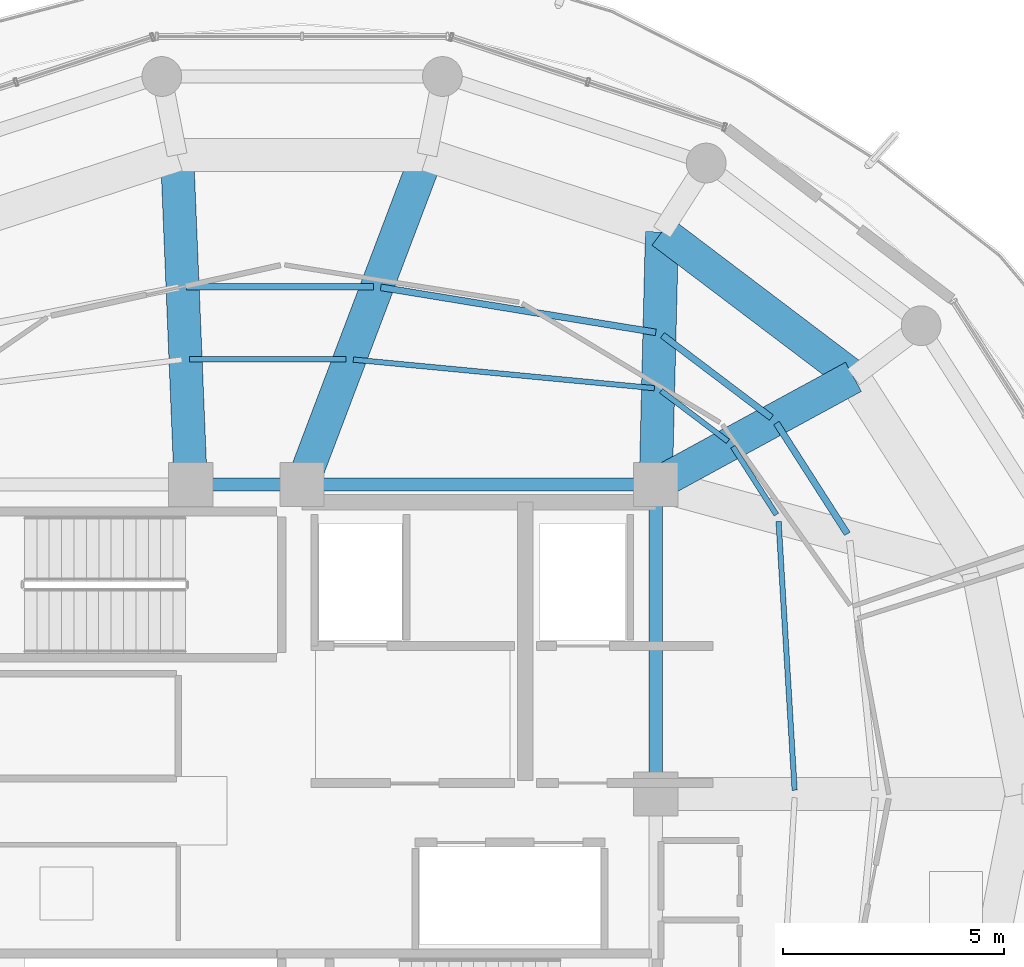
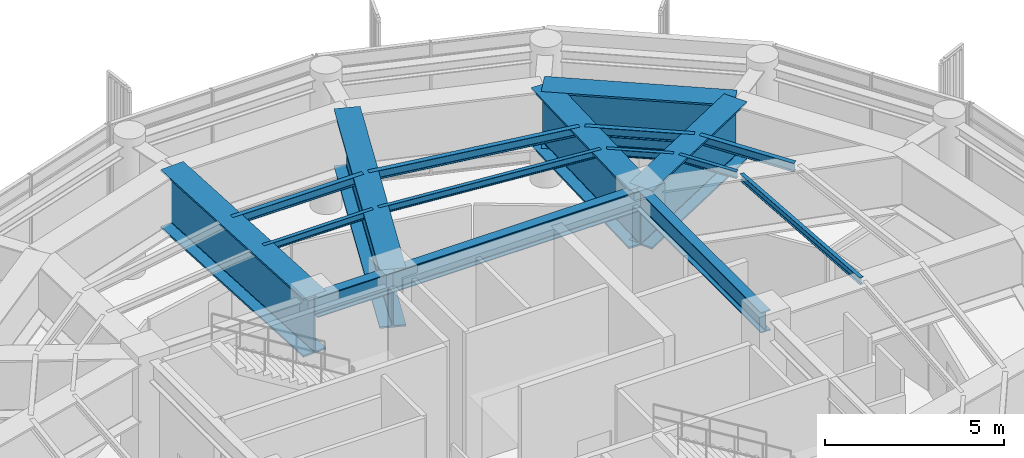
# One storey, part 10 of 23: 17 beams.
"""IFC4 building model written with IfcOpenShell, lengths in metres."""

import ifcopenshell
import ifcopenshell.guid

model = None  # the IFC model being written
_history = None  # IfcOwnerHistory: only IFC2X3 demands one
_inside = {}  # id of a spatial element -> (the spatial element, [elements in it])
_under = {}  # id of a project, library or spatial element -> (it, [spatial elements below it])
_declared = {}  # id of a project -> (the project, [libraries it declares])
_typed = {}  # id of a type object -> (the type object, [elements of that type])
_made_of = {}  # id of a material, layer set ... -> (it, [elements and type objects made of it])


def new_model(schema):
    """Start an empty IFC model of exactly this schema.

    Asked for "IFC4X3", IfcOpenShell would pick the latest addendum, in which some entities
    have other attributes; the version numbers below select the first issue.
    IFC2X3 requires an IfcOwnerHistory on every rooted entity: one is made here for all.
    """
    global model, _history
    if schema == "IFC4X3":
        model = ifcopenshell.file(schema_version=(4, 3, 0, 0))
    else:
        model = ifcopenshell.file(schema=schema)
    _inside.clear()
    _under.clear()
    _declared.clear()
    _typed.clear()
    _made_of.clear()
    _history = None
    if model.schema == "IFC2X3":
        org = make("IfcOrganization", Name="unknown")
        user = make(
            "IfcPersonAndOrganization",
            ThePerson=make("IfcPerson", FamilyName="unknown"),
            TheOrganization=org,
        )
        app = make(
            "IfcApplication",
            ApplicationDeveloper=org,
            Version="unknown",
            ApplicationFullName="unknown",
            ApplicationIdentifier="unknown",
        )
        _history = make(
            "IfcOwnerHistory",
            OwningUser=user,
            OwningApplication=app,
            ChangeAction="ADDED",
            CreationDate=0,
        )
    return model


def make(cls, **values):
    """One entity of the class cls with the attributes given. An attribute that is None is left unset."""
    return model.create_entity(
        cls, **{name: value for name, value in values.items() if value is not None}
    )


def rooted(cls, **values):
    """An entity with a GlobalId (a new one), such as an element, a storey or a relation."""
    return make(cls, GlobalId=ifcopenshell.guid.new(), OwnerHistory=_history, **values)


def si_unit(unit_type, name, prefix=None):
    """IfcSIUnit, for example si_unit("LENGTHUNIT", "METRE", prefix="MILLI")."""
    return make("IfcSIUnit", UnitType=unit_type, Prefix=prefix, Name=name)


def assignment(units):
    """IfcUnitAssignment: the units of a project."""
    return None if units is None else make("IfcUnitAssignment", Units=units)


def point(xyz):
    """IfcCartesianPoint."""
    return None if xyz is None else make("IfcCartesianPoint", Coordinates=xyz)


def direction(xyz):
    """IfcDirection."""
    return None if xyz is None else make("IfcDirection", DirectionRatios=xyz)


def frame(location, z_axis=None, x_axis=None):
    """IfcAxis2Placement3D, a coordinate frame: its origin and axes. An axis left out is left unset."""
    return make(
        "IfcAxis2Placement3D",
        Location=point(location),
        Axis=direction(z_axis),
        RefDirection=direction(x_axis),
    )


def frame_2d(location, x_axis=None):
    """IfcAxis2Placement2D, a coordinate frame in the plane: its origin and x axis."""
    return make(
        "IfcAxis2Placement2D", Location=point(location), RefDirection=direction(x_axis)
    )


def origin():
    """The frame at (0, 0, 0) with its axes left unset."""
    return frame((0.0, 0.0, 0.0))


def origin_2d():
    """The frame at (0, 0) in the plane with its x axis left unset."""
    return frame_2d((0.0, 0.0))


def place(relative_to, where):
    """IfcLocalPlacement: puts the frame where relative to a parent placement (None: the world)."""
    return make(
        "IfcLocalPlacement", PlacementRelTo=relative_to, RelativePlacement=where
    )


def context(
    kind, dimensions, precision=None, world=None, true_north=None, identifier=None
):
    """IfcGeometricRepresentationContext, for example the 3D "Model" context."""
    return make(
        "IfcGeometricRepresentationContext",
        ContextIdentifier=identifier,
        ContextType=kind,
        CoordinateSpaceDimension=dimensions,
        Precision=precision,
        WorldCoordinateSystem=world,
        TrueNorth=true_north,
    )


def subcontext(parent, identifier, kind, view, scale=None):
    """IfcGeometricRepresentationSubContext, for example "Body" below "Model"."""
    return make(
        "IfcGeometricRepresentationSubContext",
        ContextIdentifier=identifier,
        ContextType=kind,
        ParentContext=parent,
        TargetScale=scale,
        TargetView=view,
    )


def project(units=None, contexts=None):
    """IfcProject with its units and contexts."""
    return rooted(
        "IfcProject",
        Name="project",
        RepresentationContexts=contexts,
        UnitsInContext=assignment(units),
    )


def spatial(cls, under=None, at=None, **own):
    """A site, building, storey or space (cls), placed at a placement, below another one or the project."""
    s = rooted(cls, ObjectPlacement=at, **own)
    if under is not None:
        _under.setdefault(under.id(), (under, []))[1].append(s)
    return s


def profile(cls, at=None, kind="AREA", **sizes):
    """A parametric profile (cls). Its sizes go by their IFC names, for example OverallWidth=200.0."""
    return make(cls, ProfileType=kind, Position=at, **sizes)


def i_section(**sizes):
    """IfcIShapeProfileDef."""
    return profile("IfcIShapeProfileDef", **sizes)


def extrude(swept, where, along, depth):
    """IfcExtrudedAreaSolid: the profile swept, set in the frame where, extruded along a direction by depth."""
    return make(
        "IfcExtrudedAreaSolid",
        SweptArea=swept,
        Position=where,
        ExtrudedDirection=direction(along),
        Depth=depth,
    )


def shape(context_of_items, identifier, shape_type, items):
    """IfcShapeRepresentation: the items that make up one representation, for example the "Body"."""
    return make(
        "IfcShapeRepresentation",
        ContextOfItems=context_of_items,
        RepresentationIdentifier=identifier,
        RepresentationType=shape_type,
        Items=items,
    )


def material(Name=None, Category=None):
    """IfcMaterial."""
    return make("IfcMaterial", Name=Name, Category=Category)


def material_profile(
    of_material, cross_section, Name=None, Category=None, Priority=None
):
    """IfcMaterialProfile: a cross section and its material."""
    return make(
        "IfcMaterialProfile",
        Name=Name,
        Material=of_material,
        Profile=cross_section,
        Priority=Priority,
        Category=Category,
    )


def profile_set(profiles, Name=None, composite=None):
    """IfcMaterialProfileSet."""
    return make(
        "IfcMaterialProfileSet",
        Name=Name,
        MaterialProfiles=profiles,
        CompositeProfile=composite,
    )


def made_of(thing, what):
    """Note that an element or type object is made of a material, layer set ...; save() writes the relation."""
    if what is not None:
        _made_of.setdefault(what.id(), (what, []))[1].append(thing)
    return thing


def type_object(cls, material=None, **own):
    """A type object (cls), such as IfcWallType, which elements share."""
    return made_of(rooted(cls, **own), material)


def element(
    cls,
    number,
    at=None,
    inside=None,
    cuts=None,
    type_object=None,
    material=None,
    context=None,
    identifier="Body",
    shape_type=None,
    held_by="IfcProductDefinitionShape",
    body=None,
    shapes=None,
    **own,
):
    """One element of the class cls, such as IfcWall. Its Tag is "e" and its number.

    at: its placement. inside: the storey or other place that contains it. cuts: it is an
    opening in that element (IfcRelVoidsElement). A single representation is given by context,
    identifier, shape_type and body (its items); several are given by shapes. held_by: the class
    of the entity that holds the representations. save() writes the other relations.
    """
    e = rooted(cls, Tag="e%d" % number, ObjectPlacement=at, **own)
    if body is not None:
        shapes = [shape(context, identifier, shape_type, body)]
    if shapes is not None:
        e.Representation = make(held_by, Representations=shapes)
    if inside is not None:
        _inside.setdefault(inside.id(), (inside, []))[1].append(e)
    if cuts is not None:
        rooted(
            "IfcRelVoidsElement", RelatingBuildingElement=cuts, RelatedOpeningElement=e
        )
    if type_object is not None:
        _typed.setdefault(type_object.id(), (type_object, []))[1].append(e)
    return made_of(e, material)


def aggregate(whole, parts):
    """IfcRelAggregates: a whole, such as a stair, and the parts it consists of."""
    return rooted("IfcRelAggregates", RelatingObject=whole, RelatedObjects=parts)


def save(model, path):
    """Write the relations noted so far, then the file.

    IfcRelAggregates (storeys below a building ...), IfcRelContainedInSpatialStructure (elements
    in a storey), IfcRelDefinesByType, IfcRelAssociatesMaterial and IfcRelDeclares: one each for
    every whole, place, type object, material and project.
    """
    for whole, parts in _under.values():
        aggregate(whole, parts)
    for where, things in _inside.values():
        rooted(
            "IfcRelContainedInSpatialStructure",
            RelatedElements=things,
            RelatingStructure=where,
        )
    for kind, things in _typed.values():
        rooted("IfcRelDefinesByType", RelatedObjects=things, RelatingType=kind)
    for what, things in _made_of.values():
        rooted("IfcRelAssociatesMaterial", RelatedObjects=things, RelatingMaterial=what)
    for by, libraries in _declared.values():
        rooted("IfcRelDeclares", RelatingContext=by, RelatedDefinitions=libraries)
    model.write(path)


model = new_model("IFC4")

# Units and contexts
model_context = context("Model", 3, precision=1e-05, world=origin(), true_north=direction((0.0, 1.0)))
body_context = subcontext(model_context, "Body", "Model", "MODEL_VIEW")
ifc_project = project(units=[si_unit("LENGTHUNIT", "METRE"), si_unit("AREAUNIT", "SQUARE_METRE"), si_unit("VOLUMEUNIT", "CUBIC_METRE"), si_unit("PLANEANGLEUNIT", "RADIAN"), si_unit("MASSUNIT", "GRAM", prefix="KILO")], contexts=[model_context])

# Site, building, storey
site_placement = place(None, origin())
site = spatial("IfcSite", under=ifc_project, at=site_placement, CompositionType="ELEMENT")
building_placement = place(site_placement, origin())
building = spatial("IfcBuilding", under=site, at=building_placement, Name="Kelanora Arch Commons", CompositionType="ELEMENT")
storey_placement = place(building_placement, frame((0.0, 0.0, 293.699951171875)))
storey = spatial("IfcBuildingStorey", under=building, at=storey_placement, Name="L75", CompositionType="ELEMENT", Elevation=293.699951171875)

# Beams
ifc_material = material(Name="Steel S355", Category="steel")
ifc_material_profile_1 = material_profile(ifc_material, i_section(OverallWidth=0.300048828125, OverallDepth=0.699951171875, WebThickness=0.01708984375, FlangeThickness=0.031982421875, FilletRadius=0.027099609375, at=origin_2d()), Name="HEB700")
ifc_profile_set_1 = profile_set([ifc_material_profile_1], Name="Steel S355")
beam_type_1 = type_object("IfcBeamType", Name="BM-CORE-HDR", PredefinedType="BEAM", material=ifc_profile_set_1)
beam_1_placement = place(storey_placement, frame((82.0, 58.0, 4.18994140625), z_axis=(0.0, 1.0, 0.0), x_axis=(-1.0, 0.0, 0.0)))
element("IfcBeam", 1, at=beam_1_placement, inside=storey, type_object=beam_type_1, Name="Core Header Beam 04 L75", PredefinedType="BEAM", context=body_context, shape_type="SweptSolid", body=[
    extrude(i_section(OverallWidth=0.300048828125, OverallDepth=0.699951171875, WebThickness=0.01708984375, FlangeThickness=0.031982421875, FilletRadius=0.027099609375, at=origin_2d()), origin(), (0.0, 0.0, 1.0), 7.0),
])
beam_2_placement = place(storey_placement, frame((82.0, 65.0, 4.18994140625), z_axis=(-1.0, 0.0, 0.0), x_axis=(0.0, -1.0, 0.0)))
element("IfcBeam", 2, at=beam_2_placement, inside=storey, type_object=beam_type_1, Name="Core Header Beam 05 L75", PredefinedType="BEAM", context=body_context, shape_type="SweptSolid", body=[
    extrude(i_section(OverallWidth=0.300048828125, OverallDepth=0.699951171875, WebThickness=0.01708984375, FlangeThickness=0.031982421875, FilletRadius=0.027099609375, at=origin_2d()), origin(), (0.0, 0.0, 1.0), 8.0),
])
beam_3_placement = place(storey_placement, frame((74.0, 65.0, 4.18994140625), z_axis=(-1.0, 0.0, 0.0), x_axis=(0.0, -1.0, 0.0)))
element("IfcBeam", 3, at=beam_3_placement, inside=storey, type_object=beam_type_1, Name="Core Header Beam 06 L75", PredefinedType="BEAM", context=body_context, shape_type="SweptSolid", body=[
    extrude(i_section(OverallWidth=0.300048828125, OverallDepth=0.699951171875, WebThickness=0.01708984375, FlangeThickness=0.031982421875, FilletRadius=0.027099609375, at=origin_2d()), origin(), (0.0, 0.0, 1.0), 2.52001953125),
])
ifc_material_profile_2 = material_profile(ifc_material, i_section(OverallWidth=0.14990234375, OverallDepth=0.300048828125, WebThickness=0.007080078125, FlangeThickness=0.0107421875, FilletRadius=0.014892578125, at=origin_2d()), Name="IPE300")
ifc_profile_set_2 = profile_set([ifc_material_profile_2], Name="Steel S355")
beam_type_2 = type_object("IfcBeamType", Name="BM-JST-01", PredefinedType="JOIST", material=ifc_profile_set_2)
beam_4_placement = place(storey_placement, frame((86.3330078125, 63.884033203125, 4.39013671875), z_axis=(-0.539193378054, 0.84218198809, 0.0), x_axis=(-0.84218198809, -0.539193378054, 0.0)))
element("IfcBeam", 4, at=beam_4_placement, inside=storey, type_object=beam_type_2, Name="Secondary Chord Joist BJB-02 L75", PredefinedType="JOIST", context=body_context, shape_type="SweptSolid", body=[
    extrude(i_section(OverallWidth=0.14990234375, OverallDepth=0.300048828125, WebThickness=0.007080078125, FlangeThickness=0.0107421875, FilletRadius=0.014892578125, at=origin_2d()), origin(), (0.0, 0.0, 1.0), 2.975830078125),
])
beam_5_placement = place(storey_placement, frame((84.614990234375, 66.512939453125, 4.39013671875), z_axis=(-0.797441333972, 0.603396485632, 0.0), x_axis=(-0.603396485632, -0.797441333972, 0.0)))
element("IfcBeam", 5, at=beam_5_placement, inside=storey, type_object=beam_type_2, Name="Secondary Chord Joist BJB-04 L75", PredefinedType="JOIST", context=body_context, shape_type="SweptSolid", body=[
    extrude(i_section(OverallWidth=0.14990234375, OverallDepth=0.300048828125, WebThickness=0.007080078125, FlangeThickness=0.0107421875, FilletRadius=0.014892578125, at=origin_2d()), origin(), (0.0, 0.0, 1.0), 3.0888671875),
])
beam_6_placement = place(storey_placement, frame((82.0, 68.441650390625, 4.39013671875), z_axis=(-0.986849654094, 0.16164083709, 0.0), x_axis=(-0.16164083709, -0.986849654094, 0.0)))
element("IfcBeam", 6, at=beam_6_placement, inside=storey, type_object=beam_type_2, Name="Secondary Chord Joist BJB-06 L75", PredefinedType="JOIST", context=body_context, shape_type="SweptSolid", body=[
    extrude(i_section(OverallWidth=0.14990234375, OverallDepth=0.300048828125, WebThickness=0.007080078125, FlangeThickness=0.0107421875, FilletRadius=0.014892578125, at=origin_2d()), origin(), (0.0, 0.0, 1.0), 6.302734375),
])
beam_7_placement = place(storey_placement, frame((75.611083984375, 69.47412109375, 4.39013671875), z_axis=(-1.0, 0.0, 0.0), x_axis=(0.0, -1.0, 0.0)))
element("IfcBeam", 7, at=beam_7_placement, inside=storey, type_object=beam_type_2, Name="Secondary Chord Joist BJB-08 L75", PredefinedType="JOIST", context=body_context, shape_type="SweptSolid", body=[
    extrude(i_section(OverallWidth=0.14990234375, OverallDepth=0.300048828125, WebThickness=0.007080078125, FlangeThickness=0.0107421875, FilletRadius=0.014892578125, at=origin_2d()), origin(), (0.0, 0.0, 1.0), 4.230224609375),
])
ifc_material_profile_3 = material_profile(ifc_material, i_section(OverallWidth=0.1201171875, OverallDepth=0.239990234375, WebThickness=0.006103515625, FlangeThickness=0.009765625, FilletRadius=0.014892578125, at=origin_2d()), Name="IPE240")
ifc_profile_set_3 = profile_set([ifc_material_profile_3], Name="Steel S355")
beam_type_3 = type_object("IfcBeamType", Name="BM-JST-02", PredefinedType="JOIST", material=ifc_profile_set_3)
beam_8_placement = place(storey_placement, frame((85.141357421875, 58.084716796875, 4.420166015625), z_axis=(-0.059619828045, 0.998221155909, 0.0), x_axis=(-0.998221155909, -0.059619828045, 0.0)))
element("IfcBeam", 8, at=beam_8_placement, inside=storey, type_object=beam_type_3, Name="Secondary Chord Joist BJA-00 L75", PredefinedType="JOIST", context=body_context, shape_type="SweptSolid", body=[
    extrude(i_section(OverallWidth=0.1201171875, OverallDepth=0.239990234375, WebThickness=0.006103515625, FlangeThickness=0.009765625, FilletRadius=0.014892578125, at=origin_2d()), origin(), (0.0, 0.0, 1.0), 6.089111328125),
])
beam_9_placement = place(storey_placement, frame((84.7275390625, 64.319580078125, 4.420166015625), z_axis=(-0.539300812993, 0.842113194947, 0.0), x_axis=(-0.842113194947, -0.539300812993, 0.0)))
element("IfcBeam", 9, at=beam_9_placement, inside=storey, type_object=beam_type_3, Name="Secondary Chord Joist BJA-02 L75", PredefinedType="JOIST", context=body_context, shape_type="SweptSolid", body=[
    extrude(i_section(OverallWidth=0.1201171875, OverallDepth=0.239990234375, WebThickness=0.006103515625, FlangeThickness=0.009765625, FilletRadius=0.014892578125, at=origin_2d()), origin(), (0.0, 0.0, 1.0), 1.822021484375),
])
beam_10_placement = place(storey_placement, frame((83.63134765625, 65.97705078125, 4.420166015625), z_axis=(-0.797424826317, 0.603418301324, 0.0), x_axis=(-0.603418301324, -0.797424826317, 0.0)))
element("IfcBeam", 10, at=beam_10_placement, inside=storey, type_object=beam_type_3, Name="Secondary Chord Joist BJA-04 L75", PredefinedType="JOIST", context=body_context, shape_type="SweptSolid", body=[
    extrude(i_section(OverallWidth=0.1201171875, OverallDepth=0.239990234375, WebThickness=0.006103515625, FlangeThickness=0.009765625, FilletRadius=0.014892578125, at=origin_2d()), origin(), (0.0, 0.0, 1.0), 1.893798828125),
])
beam_11_placement = place(storey_placement, frame((81.968505859375, 67.17919921875, 4.420166015625), z_axis=(-0.995523661296, 0.094512643594, 0.0), x_axis=(-0.094512643594, -0.995523661296, 0.0)))
element("IfcBeam", 11, at=beam_11_placement, inside=storey, type_object=beam_type_3, Name="Secondary Chord Joist BJA-06 L75", PredefinedType="JOIST", context=body_context, shape_type="SweptSolid", body=[
    extrude(i_section(OverallWidth=0.1201171875, OverallDepth=0.239990234375, WebThickness=0.006103515625, FlangeThickness=0.009765625, FilletRadius=0.014892578125, at=origin_2d()), origin(), (0.0, 0.0, 1.0), 6.840087890625),
])
beam_12_placement = place(storey_placement, frame((74.9892578125, 67.833740234375, 4.420166015625), z_axis=(-1.0, 0.0, 0.0), x_axis=(0.0, -1.0, 0.0)))
element("IfcBeam", 12, at=beam_12_placement, inside=storey, type_object=beam_type_3, Name="Secondary Chord Joist BJA-08 L75", PredefinedType="JOIST", context=body_context, shape_type="SweptSolid", body=[
    extrude(i_section(OverallWidth=0.1201171875, OverallDepth=0.239990234375, WebThickness=0.006103515625, FlangeThickness=0.009765625, FilletRadius=0.014892578125, at=origin_2d()), origin(), (0.0, 0.0, 1.0), 3.541015625),
])
ifc_material_profile_4 = material_profile(ifc_material, i_section(OverallWidth=0.75, OverallDepth=2.0, WebThickness=0.034912109375, FlangeThickness=0.06005859375, FilletRadius=0.028076171875, at=origin_2d()), Name="PG2000x750")
ifc_profile_set_4 = profile_set([ifc_material_profile_4], Name="Steel S355")
beam_type_4 = type_object("IfcBeamType", Name="BM-XFER-SET", PredefinedType="USERDEFINED", material=ifc_profile_set_4)
beam_13_placement = place(storey_placement, frame((82.0, 65.0, 3.5400390625), z_axis=(0.878126355987, 0.478428785631, 0.0), x_axis=(-0.478428785631, 0.878126355987, 0.0)))
element("IfcBeam", 13, at=beam_13_placement, inside=storey, type_object=beam_type_4, Name="Setback Radial Transfer Girder BRI-04 L75", ObjectType="TRANSFER_GIRDER", PredefinedType="USERDEFINED", context=body_context, shape_type="SweptSolid", body=[
    extrude(i_section(OverallWidth=0.75, OverallDepth=2.0, WebThickness=0.034912109375, FlangeThickness=0.06005859375, FilletRadius=0.028076171875, at=origin_2d()), origin(), (0.0, 0.0, 1.0), 5.091796875),
])
beam_14_placement = place(storey_placement, frame((82.0, 65.0, 3.5400390625), z_axis=(0.0244777504, 0.99970037498, 0.0), x_axis=(-0.99970037498, 0.0244777504, 0.0)))
element("IfcBeam", 14, at=beam_14_placement, inside=storey, type_object=beam_type_4, Name="Setback Radial Transfer Girder BRI-06 L75", ObjectType="TRANSFER_GIRDER", PredefinedType="USERDEFINED", context=body_context, shape_type="SweptSolid", body=[
    extrude(i_section(OverallWidth=0.75, OverallDepth=2.0, WebThickness=0.034912109375, FlangeThickness=0.06005859375, FilletRadius=0.028076171875, at=origin_2d()), origin(), (0.0, 0.0, 1.0), 5.715087890625),
])
beam_15_placement = place(storey_placement, frame((74.0, 65.0, 3.5400390625), z_axis=(0.354476114465, 0.93506506954, 0.0), x_axis=(-0.93506506954, 0.354476114465, 0.0)))
element("IfcBeam", 15, at=beam_15_placement, inside=storey, type_object=beam_type_4, Name="Setback Radial Transfer Girder BRI-08 L75", ObjectType="TRANSFER_GIRDER", PredefinedType="USERDEFINED", context=body_context, shape_type="SweptSolid", body=[
    extrude(i_section(OverallWidth=0.75, OverallDepth=2.0, WebThickness=0.034912109375, FlangeThickness=0.06005859375, FilletRadius=0.028076171875, at=origin_2d()), origin(), (0.0, 0.0, 1.0), 7.974853515625),
])
beam_16_placement = place(storey_placement, frame((71.47998046875, 65.0, 3.5400390625), z_axis=(-0.041118939996, 0.999154258748, 0.0), x_axis=(-0.999154258748, -0.041118939996, 0.0)))
element("IfcBeam", 16, at=beam_16_placement, inside=storey, type_object=beam_type_4, Name="Setback Radial Transfer Girder BRI-10 L75", ObjectType="TRANSFER_GIRDER", PredefinedType="USERDEFINED", context=body_context, shape_type="SweptSolid", body=[
    extrude(i_section(OverallWidth=0.75, OverallDepth=2.0, WebThickness=0.034912109375, FlangeThickness=0.06005859375, FilletRadius=0.028076171875, at=origin_2d()), origin(), (0.0, 0.0, 1.0), 7.46337890625),
])
beam_17_placement = place(storey_placement, frame((86.47119140625, 67.43603515625, 3.5400390625), z_axis=(-0.797441458309, 0.603396321309, 0.0), x_axis=(-0.603396321309, -0.797441458309, 0.0)))
element("IfcBeam", 17, at=beam_17_placement, inside=storey, type_object=beam_type_4, Name="Setback Inner Transfer Ring BSI-04 L75", ObjectType="TRANSFER_GIRDER", PredefinedType="USERDEFINED", context=body_context, shape_type="SweptSolid", body=[
    extrude(i_section(OverallWidth=0.75, OverallDepth=2.0, WebThickness=0.034912109375, FlangeThickness=0.06005859375, FilletRadius=0.028076171875, at=origin_2d()), origin(), (0.0, 0.0, 1.0), 5.431396484375),
])

save(model, "model.ifc")
